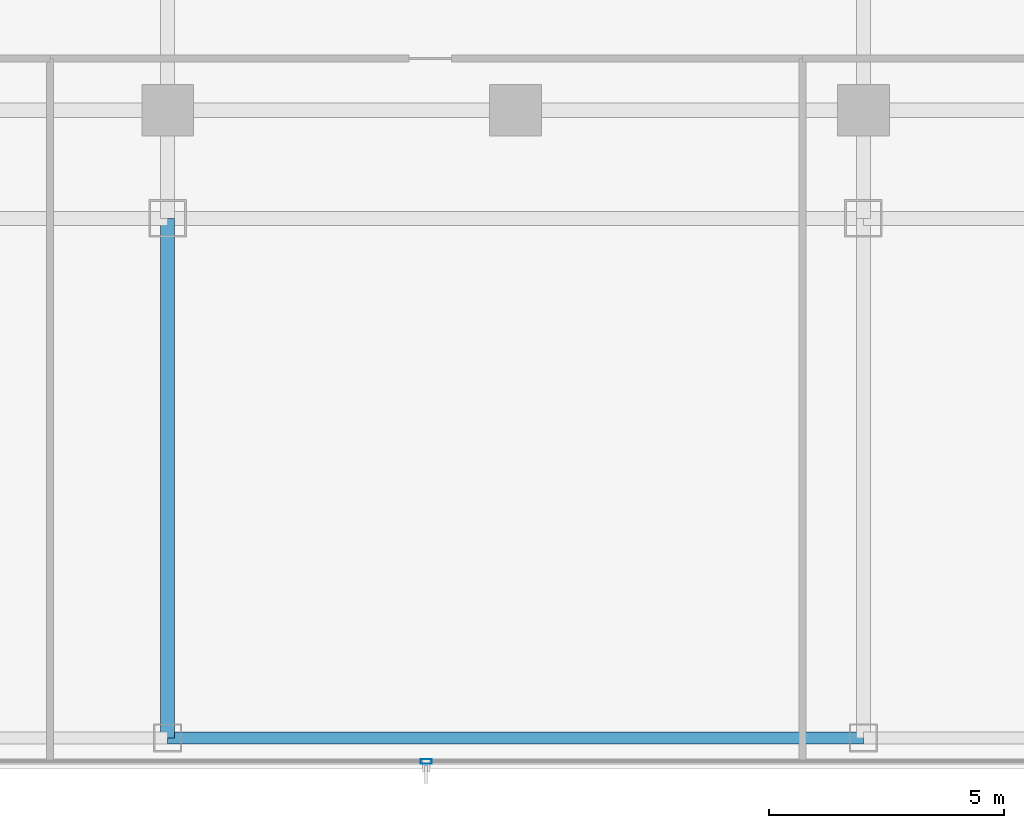
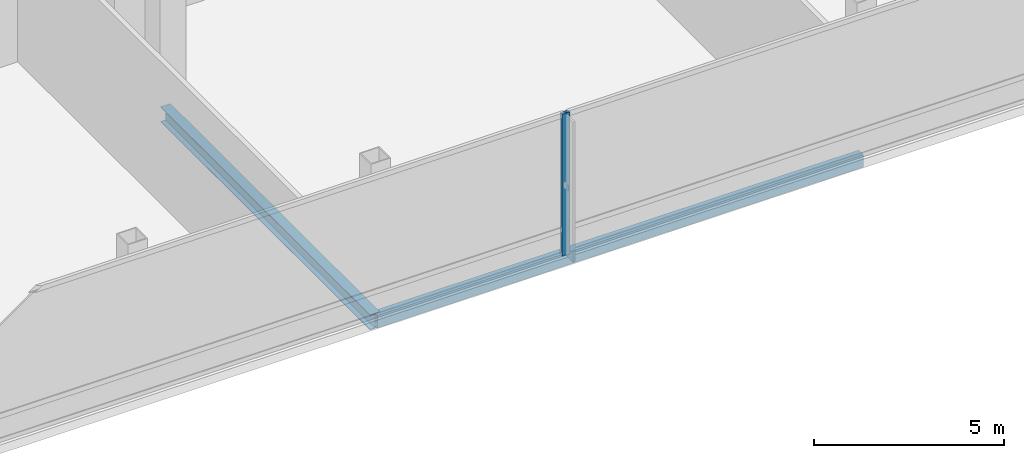
# One storey, part 4 of 22: 2 beams, 1 member, 1 element without a shape of its own.
"""IFC4 building model written with IfcOpenShell, lengths in metres."""

from ifc_helpers import new_model, si_unit, direction, frame, origin, origin_2d, place, context, subcontext, project, spatial, hollow_rectangle, i_section, extrude, material, layer, layer_set, material_profile, profile_set, type_object, element, aggregate, save


model = new_model("IFC4")

# Units and contexts
model_context = context("Model", 3, precision=1e-05, world=origin(), true_north=direction((0.0, 1.0)))
body_context = subcontext(model_context, "Body", "Model", "MODEL_VIEW")
ifc_project = project(units=[si_unit("LENGTHUNIT", "METRE"), si_unit("AREAUNIT", "SQUARE_METRE"), si_unit("VOLUMEUNIT", "CUBIC_METRE"), si_unit("PLANEANGLEUNIT", "RADIAN"), si_unit("MASSUNIT", "GRAM", prefix="KILO")], contexts=[model_context])

# Site, building, storey
site_placement = place(None, origin())
site = spatial("IfcSite", under=ifc_project, at=site_placement, CompositionType="ELEMENT")
building_placement = place(site_placement, origin())
building = spatial("IfcBuilding", under=site, at=building_placement, Name="Khorvyn Point Tower", CompositionType="ELEMENT")
storey_placement = place(building_placement, frame((0.0, 0.0, 210.89990234375)))
storey = spatial("IfcBuildingStorey", under=building, at=storey_placement, Name="L52", CompositionType="ELEMENT", Elevation=210.89990234375)

# Curtain wall, member
ifc_material_1 = material(Name="Anodised aluminium 6063-T6 and laminated Low-E glass", Category="aluminium")
ifc_layer = layer(ifc_material_1, 0.18994140625)
ifc_layer_set = layer_set([ifc_layer], Name="Stick-Built Sky-Lobby Curtain Wall CW-SYS-05")
curtain_wall_type = type_object("IfcCurtainWallType", Name="Stick-Built Sky-Lobby Curtain Wall CW-SYS-05", PredefinedType="NOTDEFINED", material=ifc_layer_set)
curtain_wall_placement = place(storey_placement, origin())
curtain_wall = element("IfcCurtainWall", 1, at=curtain_wall_placement, inside=storey, type_object=curtain_wall_type, Name="Curtain Wall", PredefinedType="NOTDEFINED")
ifc_material_2 = material(Name="Anodised aluminium 6063-T6", Category="aluminium")
ifc_material_profile_1 = material_profile(ifc_material_2, hollow_rectangle(XDim=0.10009765625, YDim=0.239990234375, WallThickness=0.0048828125, at=origin_2d()))
ifc_profile_set_1 = profile_set([ifc_material_profile_1], Name="Anodised aluminium 6063-T6 ALU-MUL-100x240")
member_type = type_object("IfcMemberType", Name="Anodised Aluminium 6063-T6 Mullion ALU-MUL-100x240", PredefinedType="MULLION", material=ifc_profile_set_1)
member_placement = place(storey_placement, frame((-1.89990234375, -28.64990234375, 0.0), z_axis=(0.0, 0.0, 1.0), x_axis=(0.0, -1.0, 0.0)))
member = element("IfcMember", 2, at=member_placement, type_object=member_type, Name="Transom", PredefinedType="MULLION", context=body_context, shape_type="SweptSolid", body=[
    extrude(hollow_rectangle(XDim=0.10009765625, YDim=0.239990234375, WallThickness=0.0048828125, at=origin_2d()), origin(), (0.0, 0.0, 1.0), 4.580078125),
])
aggregate(curtain_wall, [member])

# Beams
ifc_material_3 = material(Name="Steel S355", Category="steel")
ifc_material_profile_2 = material_profile(ifc_material_3, i_section(OverallWidth=0.300048828125, OverallDepth=0.488037109375, WebThickness=0.010986328125, FlangeThickness=0.01806640625, at=origin_2d()))
ifc_profile_set_2 = profile_set([ifc_material_profile_2], Name="Steel S355 H488x300x11x18")
beam_type_1 = type_object("IfcBeamType", Name="Steel S355 Spandrel H488x300x11x18", PredefinedType="SPANDREL", material=ifc_profile_set_2)
beam_1_placement = place(storey_placement, frame((-7.39990234375, -28.14990234375, -0.52392578125), z_axis=(0.0, 1.0, 0.0), x_axis=(-1.0, 0.0, 0.0)))
element("IfcBeam", 3, at=beam_1_placement, inside=storey, type_object=beam_type_1, Name="Beam", PredefinedType="SPANDREL", context=body_context, shape_type="SweptSolid", body=[
    extrude(i_section(OverallWidth=0.300048828125, OverallDepth=0.488037109375, WebThickness=0.010986328125, FlangeThickness=0.01806640625, at=origin_2d()), origin(), (0.0, 0.0, 1.0), 11.0498046875),
])
ifc_material_profile_3 = material_profile(ifc_material_3, hollow_rectangle(XDim=0.25, YDim=0.39990234375, WallThickness=0.01611328125, at=origin_2d()))
ifc_profile_set_3 = profile_set([ifc_material_profile_3], Name="Steel S355 RHS400x250x16")
beam_type_2 = type_object("IfcBeamType", Name="Steel S355 Spandrel RHS400x250x16", PredefinedType="SPANDREL", material=ifc_profile_set_3)
beam_2_placement = place(storey_placement, frame((-7.39990234375, -28.14990234375, -0.47998046875), z_axis=(1.0, 0.0, 0.0), x_axis=(0.0, 1.0, 0.0)))
element("IfcBeam", 4, at=beam_2_placement, inside=storey, type_object=beam_type_2, Name="Beam", PredefinedType="SPANDREL", context=body_context, shape_type="SweptSolid", body=[
    extrude(hollow_rectangle(XDim=0.25, YDim=0.39990234375, WallThickness=0.01611328125, at=origin_2d()), origin(), (0.0, 0.0, 1.0), 14.7998046875),
])

save(model, "model.ifc")
